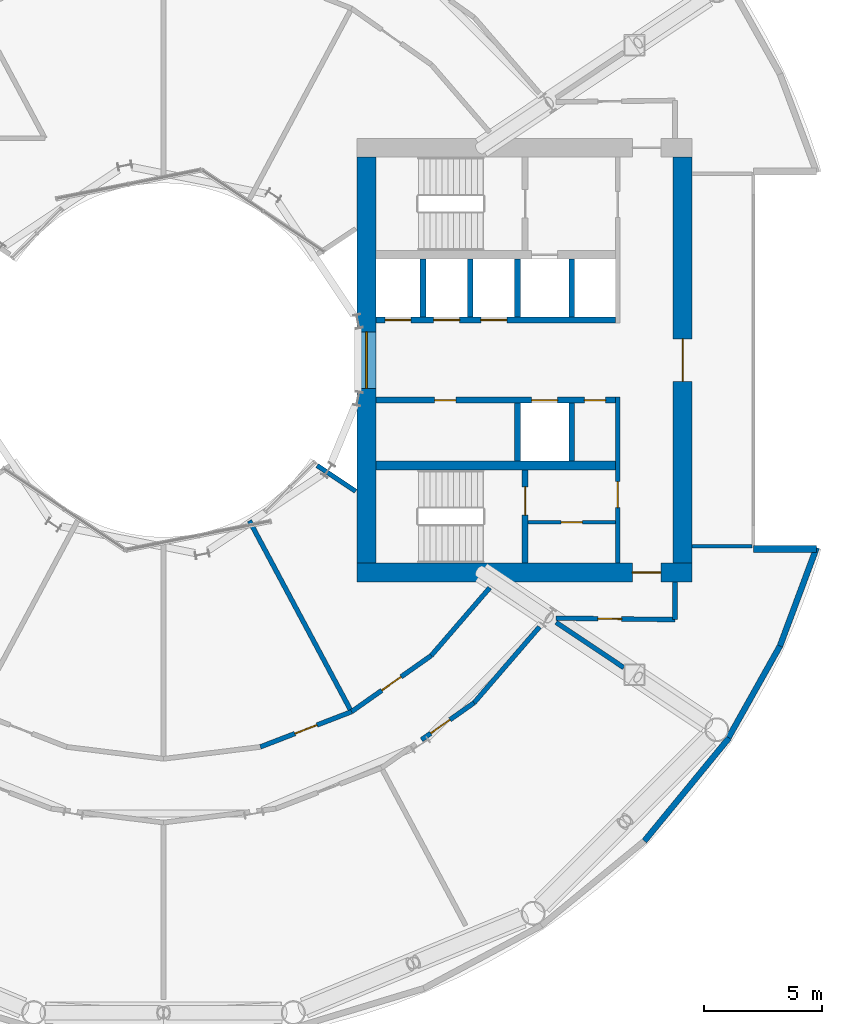
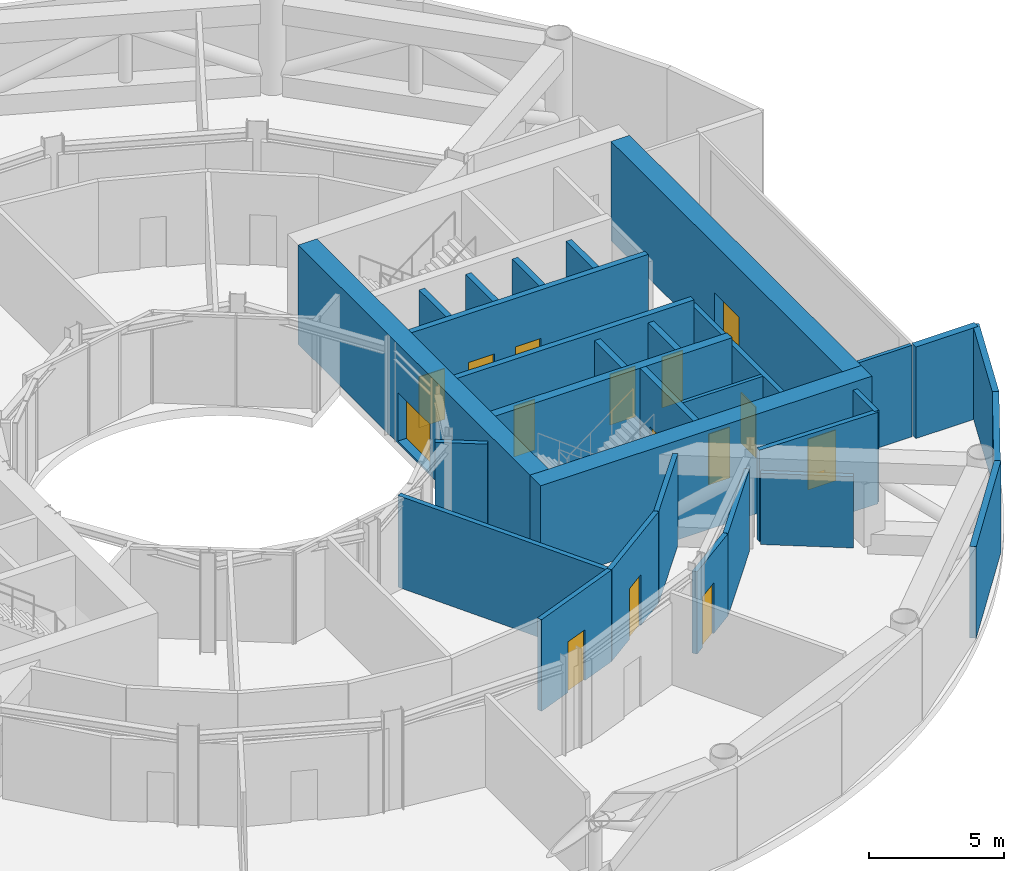
# One storey, part 11 of 15: 30 walls, 15 doors, 1 window, 16 openings.
"""IFC4 building model written with IfcOpenShell, lengths in metres."""

from ifc_helpers import new_model, si_unit, direction, frame, frame_2d, origin, place, context, subcontext, project, spatial, rectangle, extrude, material, layer, layer_set, type_object, element, fill, save


model = new_model("IFC4")

# Units and contexts
model_context = context("Model", 3, precision=1e-05, world=origin(), true_north=direction((0.0, 1.0)))
body_context = subcontext(model_context, "Body", "Model", "MODEL_VIEW")
ifc_project = project(units=[si_unit("LENGTHUNIT", "METRE"), si_unit("AREAUNIT", "SQUARE_METRE"), si_unit("VOLUMEUNIT", "CUBIC_METRE"), si_unit("PLANEANGLEUNIT", "RADIAN"), si_unit("MASSUNIT", "GRAM", prefix="KILO")], contexts=[model_context])

# Site, building, storey
site_placement = place(None, origin())
site = spatial("IfcSite", under=ifc_project, at=site_placement, CompositionType="ELEMENT")
building_placement = place(site_placement, origin())
building = spatial("IfcBuilding", under=site, at=building_placement, Name="Maasbend Ring Residences", CompositionType="ELEMENT")
storey_placement = place(building_placement, frame((0.0, 0.0, 18.300048828125)))
storey = spatial("IfcBuildingStorey", under=building, at=storey_placement, Name="L04", CompositionType="ELEMENT", Elevation=18.300048828125)

# Wall
ifc_material_1 = material(Name="Concrete C30/37", Category="concrete")
ifc_layer_1 = layer(ifc_material_1, 0.199951171875)
ifc_layer_set_1 = layer_set([ifc_layer_1], Name="Concrete C30/37")
wall_type_1 = type_object("IfcWallType", Name="COMPARTMENT WALL 200 CONCRETE", PredefinedType="PARTITIONING", material=ifc_layer_set_1)
wall_1_placement = place(storey_placement, frame((21.675048828125, -11.0, 0.0), z_axis=(0.0, 0.0, 1.0), x_axis=(0.0, 1.0, 0.0)))
element("IfcWall", 1, at=wall_1_placement, inside=storey, type_object=wall_type_1, Name="U-L04-w001", PredefinedType="PARTITIONING", context=body_context, shape_type="SweptSolid", body=[
    extrude(rectangle(XDim=1.60009765625, YDim=0.199951171875, at=frame_2d((0.800048828125, 0.0))), origin(), (0.0, 0.0, 1.0), 4.14990234375),
])

# Wall, opening, door
wall_2_placement = place(storey_placement, frame((10.93505859375, -16.092041015625, 0.0), z_axis=(0.0, 0.0, 1.0), x_axis=(0.817595540973, 0.575792958781, 0.0)))
wall_2 = element("IfcWall", 2, at=wall_2_placement, inside=storey, type_object=wall_type_1, Name="U-L04-w013", PredefinedType="PARTITIONING", context=body_context, shape_type="SweptSolid", body=[
    extrude(rectangle(XDim=2.72509765625, YDim=0.199951171875, at=frame_2d((1.362548828125, 0.0))), origin(), (0.0, 0.0, 1.0), 3.72998046875),
])
opening_1_placement = place(wall_2_placement, frame((0.47607421875, 0.0, 0.0)))
opening_1 = element("IfcOpeningElement", 3, at=opening_1_placement, cuts=wall_2, Name="Opening D-0412", PredefinedType="OPENING", context=body_context, shape_type="SweptSolid", body=[
    extrude(rectangle(XDim=1.0, YDim=2.300048828125, at=frame_2d((0.5, 1.14990234375))), frame((0.0, 0.10986328125, 0.0), z_axis=(0.0, -1.0, 0.0), x_axis=(1.0, 0.0, 0.0)), (0.0, 0.0, 1.0), 0.219970703125),
])
ifc_material_2 = material(Name="Steel, fire-rated, painted", Category="steel")
door_type_1 = type_object("IfcDoorType", Name="PLANT DOOR 1000 X 2300 FIRE-RATED", OperationType="NOTDEFINED", PredefinedType="DOOR", material=ifc_material_2)
door_1_placement = place(opening_1_placement, origin())
door_1 = element("IfcDoor", 4, at=door_1_placement, inside=storey, type_object=door_type_1, Name="D-0412", OperationType="SINGLE_SWING_LEFT", OverallHeight=2.300048828125, OverallWidth=1.0, PredefinedType="DOOR", context=body_context, shape_type="SweptSolid", body=[
    extrude(rectangle(XDim=1.0, YDim=2.300048828125, at=frame_2d((0.5, 1.14990234375))), frame((0.0, 0.02490234375, 0.0), z_axis=(0.0, -1.0, 0.0), x_axis=(1.0, 0.0, 0.0)), (0.0, 0.0, 1.0), 0.050048828125),
])
fill(opening_1, door_1)

# Wall
wall_3_placement = place(storey_placement, frame((13.1630859375, -14.52294921875, 0.0), z_axis=(0.0, 0.0, 1.0), x_axis=(0.653128497371, 0.757247097005, 0.0)))
element("IfcWall", 5, at=wall_3_placement, inside=storey, type_object=wall_type_1, Name="U-L04-w014", PredefinedType="PARTITIONING", context=body_context, shape_type="SweptSolid", body=[
    extrude(rectangle(XDim=4.244140625, YDim=0.199951171875, at=frame_2d((2.1220703125, 0.0))), origin(), (0.0, 0.0, 1.0), 3.72998046875),
])

# Wall, opening, door
wall_4_placement = place(storey_placement, frame((4.10595703125, -16.39404296875, 0.0), z_axis=(0.0, 0.0, 1.0), x_axis=(0.932943640288, 0.360022449363, 0.0)))
wall_4 = element("IfcWall", 6, at=wall_4_placement, inside=storey, type_object=wall_type_1, Name="U-L04-w020", PredefinedType="PARTITIONING", context=body_context, shape_type="SweptSolid", body=[
    extrude(rectangle(XDim=4.138671875, YDim=0.199951171875, at=frame_2d((2.0693359375, 0.0))), origin(), (0.0, 0.0, 1.0), 4.14990234375),
])
opening_2_placement = place(wall_4_placement, frame((1.569091796875, 0.0, 0.0)))
opening_2 = element("IfcOpeningElement", 7, at=opening_2_placement, cuts=wall_4, Name="Opening D-0415", PredefinedType="OPENING", context=body_context, shape_type="SweptSolid", body=[
    extrude(rectangle(XDim=1.0, YDim=2.300048828125, at=frame_2d((0.5, 1.14990234375))), frame((0.0, 0.10986328125, 0.0), z_axis=(0.0, -1.0, 0.0), x_axis=(1.0, 0.0, 0.0)), (0.0, 0.0, 1.0), 0.219970703125),
])
door_2_placement = place(opening_2_placement, origin())
door_2 = element("IfcDoor", 8, at=door_2_placement, inside=storey, type_object=door_type_1, Name="D-0415", OperationType="SINGLE_SWING_RIGHT", OverallHeight=2.300048828125, OverallWidth=1.0, PredefinedType="DOOR", context=body_context, shape_type="SweptSolid", body=[
    extrude(rectangle(XDim=1.0, YDim=2.300048828125, at=frame_2d((0.5, 1.14990234375))), frame((0.0, 0.02490234375, 0.0), z_axis=(0.0, -1.0, 0.0), x_axis=(1.0, 0.0, 0.0)), (0.0, 0.0, 1.0), 0.050048828125),
])
fill(opening_2, door_2)

wall_5_placement = place(storey_placement, frame((7.967041015625, -14.904052734375, 0.0), z_axis=(0.0, 0.0, 1.0), x_axis=(0.817567680547, 0.575832517079, 0.0)))
wall_5 = element("IfcWall", 9, at=wall_5_placement, inside=storey, type_object=wall_type_1, Name="U-L04-w021", PredefinedType="PARTITIONING", context=body_context, shape_type="SweptSolid", body=[
    extrude(rectangle(XDim=4.13671875, YDim=0.199951171875, at=frame_2d((2.068359375, 0.0))), origin(), (0.0, 0.0, 1.0), 4.14990234375),
])
opening_3_placement = place(wall_5_placement, frame((1.568115234375, 0.0, 0.0)))
opening_3 = element("IfcOpeningElement", 10, at=opening_3_placement, cuts=wall_5, Name="Opening D-0416", PredefinedType="OPENING", context=body_context, shape_type="SweptSolid", body=[
    extrude(rectangle(XDim=1.0, YDim=2.300048828125, at=frame_2d((0.5, 1.14990234375))), frame((0.0, 0.10986328125, 0.0), z_axis=(0.0, -1.0, 0.0), x_axis=(1.0, 0.0, 0.0)), (0.0, 0.0, 1.0), 0.219970703125),
])
door_3_placement = place(opening_3_placement, origin())
door_3 = element("IfcDoor", 11, at=door_3_placement, inside=storey, type_object=door_type_1, Name="D-0416", OperationType="SINGLE_SWING_RIGHT", OverallHeight=2.300048828125, OverallWidth=1.0, PredefinedType="DOOR", context=body_context, shape_type="SweptSolid", body=[
    extrude(rectangle(XDim=1.0, YDim=2.300048828125, at=frame_2d((0.5, 1.14990234375))), frame((0.0, 0.02490234375, 0.0), z_axis=(0.0, -1.0, 0.0), x_axis=(1.0, 0.0, 0.0)), (0.0, 0.0, 1.0), 0.050048828125),
])
fill(opening_3, door_3)

# Wall
wall_6_placement = place(storey_placement, frame((11.34912109375, -12.52197265625, 0.0), z_axis=(0.0, 0.0, 1.0), x_axis=(0.653220956969, 0.757167340406, 0.0)))
element("IfcWall", 12, at=wall_6_placement, inside=storey, type_object=wall_type_1, Name="U-L04-w022", PredefinedType="PARTITIONING", context=body_context, shape_type="SweptSolid", body=[
    extrude(rectangle(XDim=3.793212890625, YDim=0.199951171875, at=frame_2d((1.896484375, 0.0))), origin(), (0.0, 0.0, 1.0), 4.14990234375),
])

# Wall, opening, door
wall_7_placement = place(storey_placement, frame((16.64306640625, -10.93798828125, 0.0), z_axis=(0.0, 0.0, 1.0), x_axis=(0.999924074118, -0.012322580895, 0.0)))
wall_7 = element("IfcWall", 13, at=wall_7_placement, inside=storey, type_object=wall_type_1, Name="U-L04-w024", PredefinedType="PARTITIONING", context=body_context, shape_type="SweptSolid", body=[
    extrude(rectangle(XDim=5.032470703125, YDim=0.199951171875, at=frame_2d((2.51611328125, 0.0))), origin(), (0.0, 0.0, 1.0), 4.14990234375),
])
opening_4_placement = place(wall_7_placement, frame((1.77001953125, 0.0, 0.0)))
opening_4 = element("IfcOpeningElement", 14, at=opening_4_placement, cuts=wall_7, Name="Opening D-0419", PredefinedType="OPENING", context=body_context, shape_type="SweptSolid", body=[
    extrude(rectangle(XDim=1.0, YDim=2.300048828125, at=frame_2d((0.5, 1.14990234375))), frame((0.0, 0.10986328125, 0.0), z_axis=(0.0, -1.0, 0.0), x_axis=(1.0, 0.0, 0.0)), (0.0, 0.0, 1.0), 0.219970703125),
])
door_4_placement = place(opening_4_placement, origin())
door_4 = element("IfcDoor", 15, at=door_4_placement, inside=storey, type_object=door_type_1, Name="D-0419", OperationType="SINGLE_SWING_LEFT", OverallHeight=2.300048828125, OverallWidth=1.0, PredefinedType="DOOR", context=body_context, shape_type="SweptSolid", body=[
    extrude(rectangle(XDim=1.0, YDim=2.300048828125, at=frame_2d((0.5, 1.14990234375))), frame((0.0, 0.02490234375, 0.0), z_axis=(0.0, -1.0, 0.0), x_axis=(1.0, 0.0, 0.0)), (0.0, 0.0, 1.0), 0.050048828125),
])
fill(opening_4, door_4)

# Walls
wall_8_placement = place(storey_placement, frame((3.637939453125, -6.80908203125, 0.0), z_axis=(0.0, 0.0, 1.0), x_axis=(0.471460365694, -0.881887251059, 0.0)))
element("IfcWall", 16, at=wall_8_placement, inside=storey, type_object=wall_type_1, Name="U-L04-w037", PredefinedType="PARTITIONING", context=body_context, shape_type="SweptSolid", body=[
    extrude(rectangle(XDim=9.18017578125, YDim=0.199951171875, at=frame_2d((4.590087890625, 0.0))), origin(), (0.0, 0.0, 1.0), 4.14990234375),
])
wall_9_placement = place(storey_placement, frame((16.635986328125, -11.114990234375, 0.0), z_axis=(0.0, 0.0, 1.0), x_axis=(0.831331256958, -0.555777240632, 0.0)))
element("IfcWall", 17, at=wall_9_placement, inside=storey, type_object=wall_type_1, Name="U-L04-w042", PredefinedType="PARTITIONING", context=body_context, shape_type="SweptSolid", body=[
    extrude(rectangle(XDim=3.450927734375, YDim=0.199951171875, at=frame_2d((1.7255859375, 0.0))), origin(), (0.0, 0.0, 1.0), 3.22998046875),
])

# Wall, openings, doors
ifc_material_3 = material(Name="Concrete C70/85", Category="concrete")
ifc_layer_2 = layer(ifc_material_3, 0.25)
ifc_layer_set_2 = layer_set([ifc_layer_2], Name="Concrete C70/85")
wall_type_2 = type_object("IfcWallType", Name="CORE WALL 250 C70/85", PredefinedType="SHEAR", material=ifc_layer_set_2)
wall_10_placement = place(storey_placement, frame((9.0, 1.699951171875, 0.0), z_axis=(0.0, 0.0, 1.0), x_axis=(1.0, 0.0, 0.0)))
wall_10 = element("IfcWall", 18, at=wall_10_placement, inside=storey, type_object=wall_type_2, Name="L04 core E wall SPN", PredefinedType="SHEAR", context=body_context, shape_type="SweptSolid", body=[
    extrude(rectangle(XDim=10.14990234375, YDim=0.25, at=frame_2d((5.074951171875, 0.0))), origin(), (0.0, 0.0, 1.0), 4.5),
])
opening_5_placement = place(wall_10_placement, frame((0.387451171875, 0.0, 0.0)))
opening_5 = element("IfcOpeningElement", 19, at=opening_5_placement, cuts=wall_10, Name="Opening LD-E0401", PredefinedType="OPENING", context=body_context, shape_type="SweptSolid", body=[
    extrude(rectangle(XDim=1.10009765625, YDim=2.300048828125, at=frame_2d((0.550048828125, 1.14990234375))), frame((0.0, 0.135009765625, 0.0), z_axis=(0.0, -1.0, 0.0), x_axis=(1.0, 0.0, 0.0)), (0.0, 0.0, 1.0), 0.27001953125),
])
opening_6_placement = place(wall_10_placement, frame((2.449951171875, 0.0, 0.0)))
opening_6 = element("IfcOpeningElement", 20, at=opening_6_placement, cuts=wall_10, Name="Opening LD-E0402", PredefinedType="OPENING", context=body_context, shape_type="SweptSolid", body=[
    extrude(rectangle(XDim=1.10009765625, YDim=2.300048828125, at=frame_2d((0.550048828125, 1.14990234375))), frame((0.0, 0.135009765625, 0.0), z_axis=(0.0, -1.0, 0.0), x_axis=(1.0, 0.0, 0.0)), (0.0, 0.0, 1.0), 0.27001953125),
])
opening_7_placement = place(wall_10_placement, frame((4.449951171875, 0.0, 0.0)))
opening_7 = element("IfcOpeningElement", 21, at=opening_7_placement, cuts=wall_10, Name="Opening LD-E0403", PredefinedType="OPENING", context=body_context, shape_type="SweptSolid", body=[
    extrude(rectangle(XDim=1.10009765625, YDim=2.300048828125, at=frame_2d((0.550048828125, 1.14990234375))), frame((0.0, 0.135009765625, 0.0), z_axis=(0.0, -1.0, 0.0), x_axis=(1.0, 0.0, 0.0)), (0.0, 0.0, 1.0), 0.27001953125),
])
ifc_material_4 = material(Name="Stainless steel 316", Category="steel")
door_type_2 = type_object("IfcDoorType", Name="LANDING DOOR 1100 X 2300 FD60", OperationType="DOUBLE_DOOR_SLIDING", PredefinedType="DOOR", material=ifc_material_4)
door_5_placement = place(opening_5_placement, origin())
door_5 = element("IfcDoor", 22, at=door_5_placement, inside=storey, type_object=door_type_2, Name="Landing door LR-E1 L04", OperationType="DOUBLE_DOOR_SLIDING", OverallHeight=2.300048828125, OverallWidth=1.10009765625, PredefinedType="DOOR", context=body_context, shape_type="SweptSolid", body=[
    extrude(rectangle(XDim=1.10009765625, YDim=2.300048828125, at=frame_2d((0.550048828125, 1.14990234375))), frame((0.0, 0.02490234375, 0.0), z_axis=(0.0, -1.0, 0.0), x_axis=(1.0, 0.0, 0.0)), (0.0, 0.0, 1.0), 0.050048828125),
])
fill(opening_5, door_5)
door_6_placement = place(opening_6_placement, origin())
door_6 = element("IfcDoor", 23, at=door_6_placement, inside=storey, type_object=door_type_2, Name="Landing door LR-E2 L04", OperationType="DOUBLE_DOOR_SLIDING", OverallHeight=2.300048828125, OverallWidth=1.10009765625, PredefinedType="DOOR", context=body_context, shape_type="SweptSolid", body=[
    extrude(rectangle(XDim=1.10009765625, YDim=2.300048828125, at=frame_2d((0.550048828125, 1.14990234375))), frame((0.0, 0.02490234375, 0.0), z_axis=(0.0, -1.0, 0.0), x_axis=(1.0, 0.0, 0.0)), (0.0, 0.0, 1.0), 0.050048828125),
])
fill(opening_6, door_6)
door_7_placement = place(opening_7_placement, origin())
door_7 = element("IfcDoor", 24, at=door_7_placement, inside=storey, type_object=door_type_2, Name="Landing door LR-E3 L04", OperationType="DOUBLE_DOOR_SLIDING", OverallHeight=2.300048828125, OverallWidth=1.10009765625, PredefinedType="DOOR", context=body_context, shape_type="SweptSolid", body=[
    extrude(rectangle(XDim=1.10009765625, YDim=2.300048828125, at=frame_2d((0.550048828125, 1.14990234375))), frame((0.0, 0.02490234375, 0.0), z_axis=(0.0, -1.0, 0.0), x_axis=(1.0, 0.0, 0.0)), (0.0, 0.0, 1.0), 0.050048828125),
])
fill(opening_7, door_7)

wall_11_placement = place(storey_placement, frame((19.14990234375, -1.699951171875, 0.0), z_axis=(0.0, 0.0, 1.0), x_axis=(-1.0, 0.0, 0.0)))
wall_11 = element("IfcWall", 25, at=wall_11_placement, inside=storey, type_object=wall_type_2, Name="L04 core E wall SPS", PredefinedType="SHEAR", context=body_context, shape_type="SweptSolid", body=[
    extrude(rectangle(XDim=10.14990234375, YDim=0.25, at=frame_2d((5.074951171875, 0.0))), origin(), (0.0, 0.0, 1.0), 4.5),
])
opening_8_placement = place(wall_11_placement, frame((2.449951171875, 0.0, 0.0)))
opening_8 = element("IfcOpeningElement", 26, at=opening_8_placement, cuts=wall_11, Name="Opening LD-E0405", PredefinedType="OPENING", context=body_context, shape_type="SweptSolid", body=[
    extrude(rectangle(XDim=1.10009765625, YDim=2.300048828125, at=frame_2d((0.550048828125, 1.14990234375))), frame((0.0, 0.135009765625, 0.0), z_axis=(0.0, -1.0, 0.0), x_axis=(1.0, 0.0, 0.0)), (0.0, 0.0, 1.0), 0.27001953125),
])
opening_9_placement = place(wall_11_placement, frame((6.762451171875, 0.0, 0.0)))
opening_9 = element("IfcOpeningElement", 27, at=opening_9_placement, cuts=wall_11, Name="Opening D-E0406", PredefinedType="OPENING", context=body_context, shape_type="SweptSolid", body=[
    extrude(rectangle(XDim=0.89990234375, YDim=2.300048828125, at=frame_2d((0.449951171875, 1.14990234375))), frame((0.0, 0.135009765625, 0.0), z_axis=(0.0, -1.0, 0.0), x_axis=(1.0, 0.0, 0.0)), (0.0, 0.0, 1.0), 0.27001953125),
])
opening_10_placement = place(wall_11_placement, frame((0.41259765625, 0.0, 0.0)))
opening_10 = element("IfcOpeningElement", 28, at=opening_10_placement, cuts=wall_11, Name="Opening D-E0407", PredefinedType="OPENING", context=body_context, shape_type="SweptSolid", body=[
    extrude(rectangle(XDim=0.89990234375, YDim=2.300048828125, at=frame_2d((0.449951171875, 1.14990234375))), frame((0.0, 0.135009765625, 0.0), z_axis=(0.0, -1.0, 0.0), x_axis=(1.0, 0.0, 0.0)), (0.0, 0.0, 1.0), 0.27001953125),
])
door_8_placement = place(opening_8_placement, origin())
door_8 = element("IfcDoor", 29, at=door_8_placement, inside=storey, type_object=door_type_2, Name="Landing door SV-E L04", OperationType="DOUBLE_DOOR_SLIDING", OverallHeight=2.300048828125, OverallWidth=1.10009765625, PredefinedType="DOOR", context=body_context, shape_type="SweptSolid", body=[
    extrude(rectangle(XDim=1.10009765625, YDim=2.300048828125, at=frame_2d((0.550048828125, 1.14990234375))), frame((0.0, 0.02490234375, 0.0), z_axis=(0.0, -1.0, 0.0), x_axis=(1.0, 0.0, 0.0)), (0.0, 0.0, 1.0), 0.050048828125),
])
fill(opening_8, door_8)
ifc_material_5 = material(Name="Steel, powder coated", Category="steel")
door_type_3 = type_object("IfcDoorType", Name="ROOM DOOR 900 X 2300 FD30S", OperationType="NOTDEFINED", PredefinedType="DOOR", material=ifc_material_5)
door_9_placement = place(opening_9_placement, origin())
door_9 = element("IfcDoor", 30, at=door_9_placement, inside=storey, type_object=door_type_3, Name="Room door L04", OperationType="SINGLE_SWING_LEFT", OverallHeight=2.300048828125, OverallWidth=0.89990234375, PredefinedType="DOOR", context=body_context, shape_type="SweptSolid", body=[
    extrude(rectangle(XDim=0.89990234375, YDim=2.300048828125, at=frame_2d((0.449951171875, 1.14990234375))), frame((0.0, 0.02490234375, 0.0), z_axis=(0.0, -1.0, 0.0), x_axis=(1.0, 0.0, 0.0)), (0.0, 0.0, 1.0), 0.050048828125),
])
fill(opening_9, door_9)
door_10_placement = place(opening_10_placement, origin())
door_10 = element("IfcDoor", 31, at=door_10_placement, inside=storey, type_object=door_type_3, Name="Room door L04", OperationType="SINGLE_SWING_RIGHT", OverallHeight=2.300048828125, OverallWidth=0.89990234375, PredefinedType="DOOR", context=body_context, shape_type="SweptSolid", body=[
    extrude(rectangle(XDim=0.89990234375, YDim=2.300048828125, at=frame_2d((0.449951171875, 1.14990234375))), frame((0.0, 0.02490234375, 0.0), z_axis=(0.0, -1.0, 0.0), x_axis=(1.0, 0.0, 0.0)), (0.0, 0.0, 1.0), 0.050048828125),
])
fill(opening_10, door_10)

# Wall, opening, door
wall_12_placement = place(storey_placement, frame((15.324951171875, -8.60009765625, 0.0), z_axis=(0.0, 0.0, 1.0), x_axis=(0.0, 1.0, 0.0)))
wall_12 = element("IfcWall", 32, at=wall_12_placement, inside=storey, type_object=wall_type_2, Name="L04 core E wall STES", PredefinedType="SHEAR", context=body_context, shape_type="SweptSolid", body=[
    extrude(rectangle(XDim=3.9501953125, YDim=0.25, at=frame_2d((1.97509765625, 0.0))), origin(), (0.0, 0.0, 1.0), 4.5),
])
opening_11_placement = place(wall_12_placement, frame((2.02490234375, 0.0, 0.0)))
opening_11 = element("IfcOpeningElement", 33, at=opening_11_placement, cuts=wall_12, Name="Opening D-E0410", PredefinedType="OPENING", context=body_context, shape_type="SweptSolid", body=[
    extrude(rectangle(XDim=1.199951171875, YDim=2.300048828125, at=frame_2d((0.60009765625, 1.14990234375))), frame((0.0, 0.135009765625, 0.0), z_axis=(0.0, -1.0, 0.0), x_axis=(1.0, 0.0, 0.0)), (0.0, 0.0, 1.0), 0.27001953125),
])
ifc_material_6 = material(Name="Steel, powder coated", Category="steel")
door_type_4 = type_object("IfcDoorType", Name="STAIR DOOR 1200 X 2300 FD60", OperationType="NOTDEFINED", PredefinedType="DOOR", material=ifc_material_6)
door_11_placement = place(opening_11_placement, origin())
door_11 = element("IfcDoor", 34, at=door_11_placement, inside=storey, type_object=door_type_4, Name="Stair door ST-E L04", OperationType="SINGLE_SWING_LEFT", OverallHeight=2.300048828125, OverallWidth=1.199951171875, PredefinedType="DOOR", context=body_context, shape_type="SweptSolid", body=[
    extrude(rectangle(XDim=1.199951171875, YDim=2.300048828125, at=frame_2d((0.60009765625, 1.14990234375))), frame((0.0, 0.02490234375, 0.0), z_axis=(0.0, -1.0, 0.0), x_axis=(1.0, 0.0, 0.0)), (0.0, 0.0, 1.0), 0.050048828125),
])
fill(opening_11, door_11)

# Wall
ifc_material_7 = material(Name="Concrete C70/85", Category="concrete")
ifc_layer_3 = layer(ifc_material_7, 0.375)
ifc_layer_set_3 = layer_set([ifc_layer_3], Name="Concrete C70/85")
wall_type_3 = type_object("IfcWallType", Name="CORE WALL 375 C70/85", PredefinedType="SHEAR", material=ifc_layer_set_3)
wall_13_placement = place(storey_placement, frame((9.0, -4.46240234375, 0.0), z_axis=(0.0, 0.0, 1.0), x_axis=(1.0, 0.0, 0.0)))
element("IfcWall", 35, at=wall_13_placement, inside=storey, type_object=wall_type_3, Name="L04 core E wall BS", PredefinedType="SHEAR", context=body_context, shape_type="SweptSolid", body=[
    extrude(rectangle(XDim=10.14990234375, YDim=0.375, at=frame_2d((5.074951171875, 0.0))), origin(), (0.0, 0.0, 1.0), 4.5),
])

# Wall, opening, door
ifc_material_8 = material(Name="Concrete C70/85", Category="concrete")
ifc_layer_4 = layer(ifc_material_8, 0.800048828125)
ifc_layer_set_4 = layer_set([ifc_layer_4], Name="Concrete C70/85")
wall_type_4 = type_object("IfcWallType", Name="CORE WALL 800 C70/85", PredefinedType="SHEAR", material=ifc_layer_set_4)
wall_14_placement = place(storey_placement, frame((8.199951171875, -9.0, 0.0), z_axis=(0.0, 0.0, 1.0), x_axis=(1.0, 0.0, 0.0)))
wall_14 = element("IfcWall", 36, at=wall_14_placement, inside=storey, type_object=wall_type_4, Name="L04 core E wall PS", PredefinedType="SHEAR", context=body_context, shape_type="SweptSolid", body=[
    extrude(rectangle(XDim=14.199951171875, YDim=0.800048828125, at=frame_2d((7.10009765625, 0.0))), origin(), (0.0, 0.0, 1.0), 4.5),
])
opening_12_placement = place(wall_14_placement, frame((11.675048828125, 0.0, 0.0)))
opening_12 = element("IfcOpeningElement", 37, at=opening_12_placement, cuts=wall_14, Name="Opening D-E0414", PredefinedType="OPENING", context=body_context, shape_type="SweptSolid", body=[
    extrude(rectangle(XDim=1.199951171875, YDim=2.300048828125, at=frame_2d((0.60009765625, 1.14990234375))), frame((0.0, 0.41015625, 0.0), z_axis=(0.0, -1.0, 0.0), x_axis=(1.0, 0.0, 0.0)), (0.0, 0.0, 1.0), 0.820068359375),
])
ifc_material_9 = material(Name="Steel, powder coated", Category="steel")
door_type_5 = type_object("IfcDoorType", Name="CORRIDOR DOOR 1200 X 2300 FD30S", OperationType="NOTDEFINED", PredefinedType="DOOR", material=ifc_material_9)
door_12_placement = place(opening_12_placement, origin())
door_12 = element("IfcDoor", 38, at=door_12_placement, inside=storey, type_object=door_type_5, Name="Corridor door L04", OperationType="SINGLE_SWING_LEFT", OverallHeight=2.300048828125, OverallWidth=1.199951171875, PredefinedType="DOOR", context=body_context, shape_type="SweptSolid", body=[
    extrude(rectangle(XDim=1.199951171875, YDim=2.300048828125, at=frame_2d((0.60009765625, 1.14990234375))), frame((0.0, 0.02490234375, 0.0), z_axis=(0.0, -1.0, 0.0), x_axis=(1.0, 0.0, 0.0)), (0.0, 0.0, 1.0), 0.050048828125),
])
fill(opening_12, door_12)

wall_15_placement = place(storey_placement, frame((22.0, 8.60009765625, 0.0), z_axis=(0.0, 0.0, 1.0), x_axis=(0.0, -1.0, 0.0)))
wall_15 = element("IfcWall", 39, at=wall_15_placement, inside=storey, type_object=wall_type_4, Name="L04 core E wall POUT", PredefinedType="SHEAR", context=body_context, shape_type="SweptSolid", body=[
    extrude(rectangle(XDim=17.2001953125, YDim=0.800048828125, at=frame_2d((8.60009765625, 0.0))), origin(), (0.0, 0.0, 1.0), 4.5),
])
opening_13_placement = place(wall_15_placement, frame((7.699951171875, 0.0, 0.0)))
opening_13 = element("IfcOpeningElement", 40, at=opening_13_placement, cuts=wall_15, Name="Opening D-E0415", PredefinedType="OPENING", context=body_context, shape_type="SweptSolid", body=[
    extrude(rectangle(XDim=1.800048828125, YDim=2.300048828125, at=frame_2d((0.89990234375, 1.14990234375))), frame((0.0, 0.41015625, 0.0), z_axis=(0.0, -1.0, 0.0), x_axis=(1.0, 0.0, 0.0)), (0.0, 0.0, 1.0), 0.820068359375),
])
ifc_material_10 = material(Name="Aluminium frame, clear glass", Category="aluminium")
door_type_6 = type_object("IfcDoorType", Name="ENTRANCE DOOR 1800 X 2300 FD60", OperationType="NOTDEFINED", PredefinedType="DOOR", material=ifc_material_10)
door_13_placement = place(opening_13_placement, origin())
door_13 = element("IfcDoor", 41, at=door_13_placement, inside=storey, type_object=door_type_6, Name="Lobby glazed door L04", OperationType="SINGLE_SWING_LEFT", OverallHeight=2.300048828125, OverallWidth=1.800048828125, PredefinedType="DOOR", context=body_context, shape_type="SweptSolid", body=[
    extrude(rectangle(XDim=1.800048828125, YDim=2.300048828125, at=frame_2d((0.89990234375, 1.14990234375))), frame((0.0, 0.02490234375, 0.0), z_axis=(0.0, -1.0, 0.0), x_axis=(1.0, 0.0, 0.0)), (0.0, 0.0, 1.0), 0.050048828125),
])
fill(opening_13, door_13)

# Wall, opening, window
wall_16_placement = place(storey_placement, frame((8.60009765625, -8.60009765625, 0.0), z_axis=(0.0, 0.0, 1.0), x_axis=(0.0, 1.0, 0.0)))
wall_16 = element("IfcWall", 42, at=wall_16_placement, inside=storey, type_object=wall_type_4, Name="L04 core E wall PIN", PredefinedType="SHEAR", context=body_context, shape_type="SweptSolid", body=[
    extrude(rectangle(XDim=17.2001953125, YDim=0.800048828125, at=frame_2d((8.60009765625, 0.0))), origin(), (0.0, 0.0, 1.0), 4.5),
])
opening_14_placement = place(wall_16_placement, frame((7.39990234375, 0.0, 0.10009765625)))
opening_14 = element("IfcOpeningElement", 43, at=opening_14_placement, cuts=wall_16, Name="Opening W-E0401", PredefinedType="OPENING", context=body_context, shape_type="SweptSolid", body=[
    extrude(rectangle(XDim=2.39990234375, YDim=2.199951171875, at=frame_2d((1.199951171875, 1.10009765625))), frame((0.0, 0.41015625, 0.0), z_axis=(0.0, -1.0, 0.0), x_axis=(1.0, 0.0, 0.0)), (0.0, 0.0, 1.0), 0.820068359375),
])
ifc_material_11 = material(Name="Aluminium frame and clear glass", Category="aluminium")
window_type = type_object("IfcWindowType", Name="FIXED WINDOW 2400 X 2200", PartitioningType="SINGLE_PANEL", PredefinedType="WINDOW", material=ifc_material_11)
window_placement = place(opening_14_placement, origin())
window = element("IfcWindow", 44, at=window_placement, inside=storey, type_object=window_type, Name="Lobby window L04", OverallHeight=2.199951171875, OverallWidth=2.39990234375, PartitioningType="SINGLE_PANEL", PredefinedType="WINDOW", context=body_context, shape_type="SweptSolid", body=[
    extrude(rectangle(XDim=2.39990234375, YDim=2.199951171875, at=frame_2d((1.199951171875, 1.10009765625))), frame((0.0, 0.030029296875, 0.0), z_axis=(0.0, -1.0, 0.0), x_axis=(1.0, 0.0, 0.0)), (0.0, 0.0, 1.0), 0.06005859375),
])
fill(opening_14, window)

# Walls
ifc_material_12 = material(Name="Louvred aluminium panel", Category="aluminium")
ifc_layer_5 = layer(ifc_material_12, 0.25)
ifc_layer_set_5 = layer_set([ifc_layer_5], Name="EW-LV")
wall_type_5 = type_object("IfcWallType", Name="EW-LV", PredefinedType="SOLIDWALL", material=ifc_layer_set_5)
wall_17_placement = place(storey_placement, frame((20.382080078125, -20.382080078125, 0.0), z_axis=(0.0, 0.0, 1.0), x_axis=(0.634403999748, 0.773001659186, 0.0)))
element("IfcWall", 45, at=wall_17_placement, inside=storey, type_object=wall_type_5, Name="External wall S10", PredefinedType="SOLIDWALL", context=body_context, shape_type="SweptSolid", body=[
    extrude(rectangle(XDim=5.65087890625, YDim=0.25, at=frame_2d((2.825439453125, 0.0))), origin(), (0.0, 0.0, 1.0), 4.14990234375),
])
wall_18_placement = place(storey_placement, frame((23.946044921875, -16.0, 0.0), z_axis=(0.0, 0.0, 1.0), x_axis=(0.489696356642, 0.871893042919, 0.0)))
element("IfcWall", 46, at=wall_18_placement, inside=storey, type_object=wall_type_5, Name="Horn wall 2.1", PredefinedType="SOLIDWALL", context=body_context, shape_type="SweptSolid", body=[
    extrude(rectangle(XDim=4.45361328125, YDim=0.25, at=frame_2d((2.226806640625, 0.0))), origin(), (0.0, 0.0, 1.0), 4.14990234375),
])
wall_19_placement = place(storey_placement, frame((26.126953125, -12.116943359375, 0.0), z_axis=(0.0, 0.0, 1.0), x_axis=(0.349247811493, 0.937030397675, 0.0)))
element("IfcWall", 47, at=wall_19_placement, inside=storey, type_object=wall_type_5, Name="Horn wall 2.2", PredefinedType="SOLIDWALL", context=body_context, shape_type="SweptSolid", body=[
    extrude(rectangle(XDim=4.4521484375, YDim=0.25, at=frame_2d((2.22607421875, 0.0))), origin(), (0.0, 0.0, 1.0), 4.14990234375),
])
ifc_material_13 = material(Name="Aluminium clad insulated panel", Category="aluminium")
ifc_layer_6 = layer(ifc_material_13, 0.300048828125)
ifc_layer_set_6 = layer_set([ifc_layer_6], Name="EW-RET")
wall_type_6 = type_object("IfcWallType", Name="EW-RET", PredefinedType="SOLIDWALL", material=ifc_layer_set_6)
wall_20_placement = place(storey_placement, frame((25.0, -8.0, 0.0), z_axis=(0.0, 0.0, 1.0), x_axis=(1.0, 0.0, 0.0)))
element("IfcWall", 48, at=wall_20_placement, inside=storey, type_object=wall_type_6, Name="Notch return wall east south", PredefinedType="SOLIDWALL", context=body_context, shape_type="SweptSolid", body=[
    extrude(rectangle(XDim=2.6669921875, YDim=0.300048828125, at=frame_2d((1.33349609375, 0.0))), origin(), (0.0, 0.0, 1.0), 4.14990234375),
])

# Wall, opening, door
ifc_material_14 = material(Name="Gypsum board on steel studs", Category="steel")
ifc_layer_7 = layer(ifc_material_14, 0.14990234375)
ifc_layer_set_7 = layer_set([ifc_layer_7], Name="PARTITION 150 EI 60")
wall_type_7 = type_object("IfcWallType", Name="PARTITION 150 EI 60", PredefinedType="PARTITIONING", material=ifc_layer_set_7)
wall_21_placement = place(storey_placement, frame((15.449951171875, -6.875, 0.0), z_axis=(0.0, 0.0, 1.0), x_axis=(1.0, 0.0, 0.0)))
wall_21 = element("IfcWall", 49, at=wall_21_placement, inside=storey, type_object=wall_type_7, Name="L04 core E wall RHS", PredefinedType="PARTITIONING", context=body_context, shape_type="SweptSolid", body=[
    extrude(rectangle(XDim=3.699951171875, YDim=0.14990234375, at=frame_2d((1.85009765625, 0.0))), origin(), (0.0, 0.0, 1.0), 4.14990234375),
])
opening_15_placement = place(wall_21_placement, frame((1.39990234375, 0.0, 0.0)))
opening_15 = element("IfcOpeningElement", 50, at=opening_15_placement, cuts=wall_21, Name="Opening D-E0408", PredefinedType="OPENING", context=body_context, shape_type="SweptSolid", body=[
    extrude(rectangle(XDim=0.89990234375, YDim=2.300048828125, at=frame_2d((0.449951171875, 1.14990234375))), frame((0.0, 0.0849609375, 0.0), z_axis=(0.0, -1.0, 0.0), x_axis=(1.0, 0.0, 0.0)), (0.0, 0.0, 1.0), 0.169921875),
])
ifc_material_15 = material(Name="Steel, powder coated", Category="steel")
door_type_7 = type_object("IfcDoorType", Name="RISER DOOR 900 X 2300 FD60", OperationType="NOTDEFINED", PredefinedType="DOOR", material=ifc_material_15)
door_14_placement = place(opening_15_placement, origin())
door_14 = element("IfcDoor", 51, at=door_14_placement, inside=storey, type_object=door_type_7, Name="Riser door L04", OperationType="SINGLE_SWING_LEFT", OverallHeight=2.300048828125, OverallWidth=0.89990234375, PredefinedType="DOOR", context=body_context, shape_type="SweptSolid", body=[
    extrude(rectangle(XDim=0.89990234375, YDim=2.300048828125, at=frame_2d((0.449951171875, 1.14990234375))), frame((0.0, 0.02490234375, 0.0), z_axis=(0.0, -1.0, 0.0), x_axis=(1.0, 0.0, 0.0)), (0.0, 0.0, 1.0), 0.050048828125),
])
fill(opening_15, door_14)

# Walls
wall_22_placement = place(storey_placement, frame((22.39990234375, -7.89990234375, 0.0), z_axis=(0.0, 0.0, 1.0), x_axis=(1.0, 0.0, 0.0)))
element("IfcWall", 52, at=wall_22_placement, inside=storey, type_object=wall_type_7, Name="L04 core E wall CITS", PredefinedType="PARTITIONING", context=body_context, shape_type="SweptSolid", body=[
    extrude(rectangle(XDim=2.5400390625, YDim=0.14990234375, at=frame_2d((1.27001953125, 0.0))), origin(), (0.0, 0.0, 1.0), 4.14990234375),
])
ifc_material_16 = material(Name="Concrete C30/37", Category="concrete")
ifc_layer_8 = layer(ifc_material_16, 0.199951171875)
ifc_layer_set_8 = layer_set([ifc_layer_8], Name="Concrete C30/37")
wall_type_8 = type_object("IfcWallType", Name="PARTY WALL 200 CONCRETE", PredefinedType="PARTITIONING", material=ifc_layer_set_8)
wall_23_placement = place(storey_placement, frame((6.512939453125, -4.471923828125, 0.0), z_axis=(0.0, 0.0, 1.0), x_axis=(0.831417956244, -0.555647533996, 0.0)))
element("IfcWall", 53, at=wall_23_placement, inside=storey, type_object=wall_type_8, Name="U-L04-w026", PredefinedType="PARTITIONING", context=body_context, shape_type="SweptSolid", body=[
    extrude(rectangle(XDim=1.9619140625, YDim=0.199951171875, at=frame_2d((0.98095703125, 0.0))), origin(), (0.0, 0.0, 1.0), 4.14990234375),
])

# Wall, opening, door
ifc_material_17 = material(Name="Concrete C30/37", Category="concrete")
ifc_layer_9 = layer(ifc_material_17, 0.199951171875)
ifc_layer_set_9 = layer_set([ifc_layer_9], Name="Concrete C30/37")
wall_type_9 = type_object("IfcWallType", Name="SHAFT WALL 200 EI 120", PredefinedType="SOLIDWALL", material=ifc_layer_set_9)
wall_24_placement = place(storey_placement, frame((19.25, -8.60009765625, 0.0), z_axis=(0.0, 0.0, 1.0), x_axis=(0.0, 1.0, 0.0)))
wall_24 = element("IfcWall", 54, at=wall_24_placement, inside=storey, type_object=wall_type_9, Name="L04 core E wall ENDS", PredefinedType="SOLIDWALL", context=body_context, shape_type="SweptSolid", body=[
    extrude(rectangle(XDim=7.025146484375, YDim=0.199951171875, at=frame_2d((3.5126953125, 0.0))), origin(), (0.0, 0.0, 1.0), 4.14990234375),
])
opening_16_placement = place(wall_24_placement, frame((2.35009765625, 0.0, 0.0)))
opening_16 = element("IfcOpeningElement", 55, at=opening_16_placement, cuts=wall_24, Name="Opening D-E0412", PredefinedType="OPENING", context=body_context, shape_type="SweptSolid", body=[
    extrude(rectangle(XDim=1.10009765625, YDim=2.300048828125, at=frame_2d((0.550048828125, 1.14990234375))), frame((0.0, 0.10986328125, 0.0), z_axis=(0.0, -1.0, 0.0), x_axis=(1.0, 0.0, 0.0)), (0.0, 0.0, 1.0), 0.219970703125),
])
ifc_material_18 = material(Name="Steel, powder coated", Category="steel")
door_type_8 = type_object("IfcDoorType", Name="LOBBY DOOR 1100 X 2300 FD60", OperationType="NOTDEFINED", PredefinedType="DOOR", material=ifc_material_18)
door_15_placement = place(opening_16_placement, origin())
door_15 = element("IfcDoor", 56, at=door_15_placement, inside=storey, type_object=door_type_8, Name="Lobby door L04", OperationType="SINGLE_SWING_RIGHT", OverallHeight=2.300048828125, OverallWidth=1.10009765625, PredefinedType="DOOR", context=body_context, shape_type="SweptSolid", body=[
    extrude(rectangle(XDim=1.10009765625, YDim=2.300048828125, at=frame_2d((0.550048828125, 1.14990234375))), frame((0.0, 0.02490234375, 0.0), z_axis=(0.0, -1.0, 0.0), x_axis=(1.0, 0.0, 0.0)), (0.0, 0.0, 1.0), 0.050048828125),
])
fill(opening_16, door_15)

# Walls
ifc_material_19 = material(Name="Concrete C30/37", Category="concrete")
ifc_layer_10 = layer(ifc_material_19, 0.25)
ifc_layer_set_10 = layer_set([ifc_layer_10], Name="Concrete C30/37")
wall_type_10 = type_object("IfcWallType", Name="SHAFT WALL 250 EI 120", PredefinedType="SOLIDWALL", material=ifc_layer_set_10)
for number, where, z_axis, x_axis, name in (
    (57, (15.0, 1.824951171875, 0.0), (0.0, 0.0, 1.0), (0.0, 1.0, 0.0), "L04 core E wall D150N"),
    (58, (17.300048828125, 1.824951171875, 0.0), (0.0, 0.0, 1.0), (0.0, 1.0, 0.0), "L04 core E wall D173N"),
    (59, (15.0, -1.824951171875, 0.0), (0.0, 0.0, 1.0), (0.0, -1.0, 0.0), "L04 core E wall D150S"),
    (60, (17.300048828125, -1.824951171875, 0.0), (0.0, 0.0, 1.0), (0.0, -1.0, 0.0), "L04 core E wall D173S"),
    (61, (11.0, 1.824951171875, 0.0), (0.0, 0.0, 1.0), (0.0, 1.0, 0.0), "L04 core E wall D110N"),
    (62, (13.0, 1.824951171875, 0.0), (0.0, 0.0, 1.0), (0.0, 1.0, 0.0), "L04 core E wall D130N"),
):
    element("IfcWall", number, at=place(storey_placement, frame(where, z_axis=z_axis, x_axis=x_axis)), inside=storey, type_object=wall_type_10, Name=name, PredefinedType="SOLIDWALL", context=body_context, shape_type="SweptSolid", body=[
        extrude(rectangle(XDim=2.449951171875, YDim=0.25, at=frame_2d((1.22509765625, 0.0))), origin(), (0.0, 0.0, 1.0), 4.14990234375),
    ])

save(model, "model.ifc")
